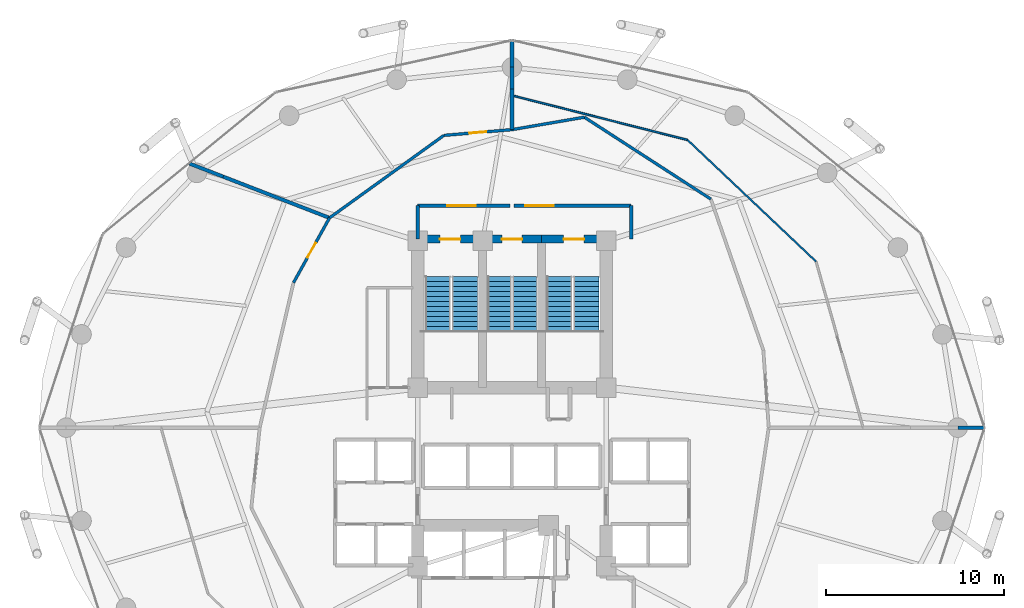
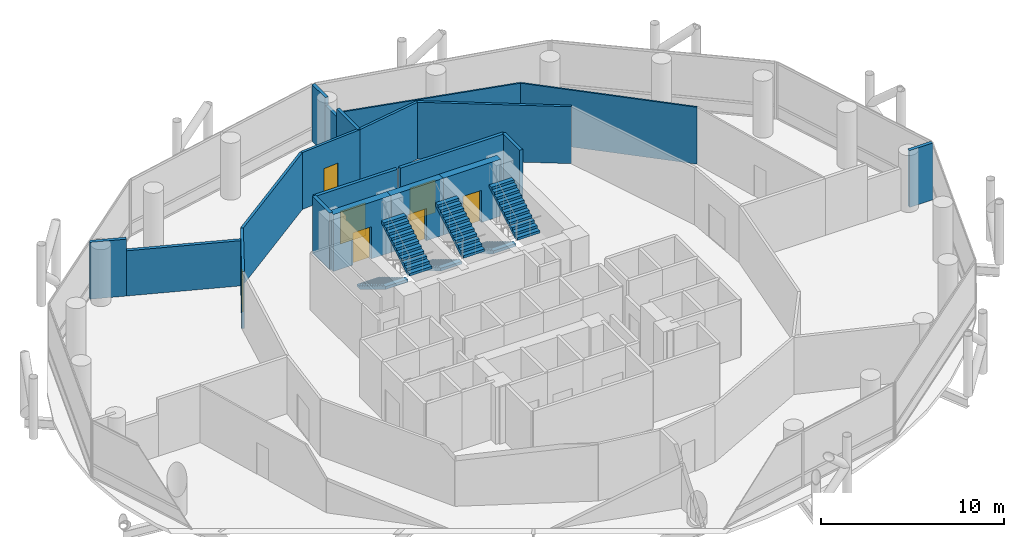
# One storey, part 23 of 24: 20 walls, 7 doors, 6 stair flights, 7 openings, 3 elements without a shape of their own.
"""IFC4 building model written with IfcOpenShell, lengths in metres."""

from ifc_helpers import new_model, si_unit, direction, frame, frame_2d, origin, place, context, subcontext, project, spatial, polyline, rectangle, outline, extrude, material, layer, layer_set, type_object, element, fill, aggregate, save


model = new_model("IFC4")

# Units and contexts
model_context = context("Model", 3, precision=1e-05, world=origin(), true_north=direction((0.0, 1.0)))
body_context = subcontext(model_context, "Body", "Model", "MODEL_VIEW")
ifc_project = project(units=[si_unit("LENGTHUNIT", "METRE"), si_unit("AREAUNIT", "SQUARE_METRE"), si_unit("VOLUMEUNIT", "CUBIC_METRE"), si_unit("PLANEANGLEUNIT", "RADIAN"), si_unit("MASSUNIT", "GRAM", prefix="KILO")], contexts=[model_context])

# Site, building, storey
site_placement = place(None, origin())
site = spatial("IfcSite", under=ifc_project, at=site_placement, CompositionType="ELEMENT")
building_placement = place(site_placement, origin())
building = spatial("IfcBuilding", under=site, at=building_placement, Name="Nuhasar Tower", CompositionType="ELEMENT")
storey_placement = place(building_placement, frame((0.0, 0.0, 73.64990234375)))
storey = spatial("IfcBuildingStorey", under=building, at=storey_placement, Name="L17", CompositionType="ELEMENT", Elevation=73.64990234375)

# Wall, opening, door
ifc_material_1 = material(Name="Concrete C50/60", Category="concrete")
ifc_layer_1 = layer(ifc_material_1, 0.449951171875)
ifc_layer_set_1 = layer_set([ifc_layer_1], Name="Concrete C50/60")
wall_type_1 = type_object("IfcWallType", Name="WL-CORE-450", PredefinedType="SHEAR", material=ifc_layer_set_1)
wall_1_placement = place(storey_placement, frame((37.35009765625, 37.39990234375, 0.0), z_axis=(0.0, 0.0, 1.0), x_axis=(-1.0, 0.0, 0.0)))
wall_1 = element("IfcWall", 1, at=wall_1_placement, inside=storey, type_object=wall_type_1, Name="L17 Stairwell Shear Wall ST01-N", PredefinedType="SHEAR", context=body_context, shape_type="SweptSolid", body=[
    extrude(rectangle(XDim=3.650146484375, YDim=0.449951171875, at=frame_2d((1.8251953125, 0.0))), origin(), (0.0, 0.0, 1.0), 3.800048828125),
])
opening_1_placement = place(wall_1_placement, frame((1.25, 0.0, 0.0)))
opening_1 = element("IfcOpeningElement", 2, at=opening_1_placement, cuts=wall_1, Name="Opening DS-01", PredefinedType="OPENING", context=body_context, shape_type="SweptSolid", body=[
    extrude(rectangle(XDim=1.14990234375, YDim=2.14990234375, at=frame_2d((0.574951171875, 1.074951171875))), frame((0.0, 0.23486328125, 0.0), z_axis=(0.0, -1.0, 0.0), x_axis=(1.0, 0.0, 0.0)), (0.0, 0.0, 1.0), 0.469970703125),
])
ifc_material_2 = material(Name="Steel S355", Category="steel")
door_type_1 = type_object("IfcDoorType", Name="DR-STAIR-FD120-1150", OperationType="NOTDEFINED", PredefinedType="DOOR", material=ifc_material_2)
door_1_placement = place(opening_1_placement, origin())
door_1 = element("IfcDoor", 3, at=door_1_placement, inside=storey, type_object=door_type_1, Name="L17 Exit Stair ST-01 Door", OperationType="SINGLE_SWING_RIGHT", OverallHeight=2.14990234375, OverallWidth=1.14990234375, PredefinedType="DOOR", context=body_context, shape_type="SweptSolid", body=[
    extrude(rectangle(XDim=1.14990234375, YDim=2.14990234375, at=frame_2d((0.574951171875, 1.074951171875))), frame((0.0, 0.02490234375, 0.0), z_axis=(0.0, -1.0, 0.0), x_axis=(1.0, 0.0, 0.0)), (0.0, 0.0, 1.0), 0.050048828125),
])
fill(opening_1, door_1)

wall_2_placement = place(storey_placement, frame((40.64990234375, 37.39990234375, 0.0), z_axis=(0.0, 0.0, 1.0), x_axis=(-1.0, 0.0, 0.0)))
wall_2 = element("IfcWall", 4, at=wall_2_placement, inside=storey, type_object=wall_type_1, Name="L17 Stairwell Shear Wall ST03-N", PredefinedType="SHEAR", context=body_context, shape_type="SweptSolid", body=[
    extrude(rectangle(XDim=3.2998046875, YDim=0.449951171875, at=frame_2d((1.64990234375, 0.0))), origin(), (0.0, 0.0, 1.0), 3.800048828125),
])
opening_2_placement = place(wall_2_placement, frame((1.074951171875, 0.0, 0.0)))
opening_2 = element("IfcOpeningElement", 5, at=opening_2_placement, cuts=wall_2, Name="Opening DS-01", PredefinedType="OPENING", context=body_context, shape_type="SweptSolid", body=[
    extrude(rectangle(XDim=1.14990234375, YDim=2.14990234375, at=frame_2d((0.574951171875, 1.074951171875))), frame((0.0, 0.23486328125, 0.0), z_axis=(0.0, -1.0, 0.0), x_axis=(1.0, 0.0, 0.0)), (0.0, 0.0, 1.0), 0.469970703125),
])
door_2_placement = place(opening_2_placement, origin())
door_2 = element("IfcDoor", 6, at=door_2_placement, inside=storey, type_object=door_type_1, Name="L17 Exit Stair ST-03 Door", OperationType="SINGLE_SWING_RIGHT", OverallHeight=2.14990234375, OverallWidth=1.14990234375, PredefinedType="DOOR", context=body_context, shape_type="SweptSolid", body=[
    extrude(rectangle(XDim=1.14990234375, YDim=2.14990234375, at=frame_2d((0.574951171875, 1.074951171875))), frame((0.0, 0.02490234375, 0.0), z_axis=(0.0, -1.0, 0.0), x_axis=(1.0, 0.0, 0.0)), (0.0, 0.0, 1.0), 0.050048828125),
])
fill(opening_2, door_2)

wall_3_placement = place(storey_placement, frame((44.300048828125, 37.39990234375, 0.0), z_axis=(0.0, 0.0, 1.0), x_axis=(-1.0, 0.0, 0.0)))
wall_3 = element("IfcWall", 7, at=wall_3_placement, inside=storey, type_object=wall_type_1, Name="L17 Stairwell Shear Wall ST02-N", PredefinedType="SHEAR", context=body_context, shape_type="SweptSolid", body=[
    extrude(rectangle(XDim=3.650146484375, YDim=0.449951171875, at=frame_2d((1.8251953125, 0.0))), origin(), (0.0, 0.0, 1.0), 3.800048828125),
])
opening_3_placement = place(wall_3_placement, frame((1.25, 0.0, 0.0)))
opening_3 = element("IfcOpeningElement", 8, at=opening_3_placement, cuts=wall_3, Name="Opening DS-01", PredefinedType="OPENING", context=body_context, shape_type="SweptSolid", body=[
    extrude(rectangle(XDim=1.14990234375, YDim=2.14990234375, at=frame_2d((0.574951171875, 1.074951171875))), frame((0.0, 0.23486328125, 0.0), z_axis=(0.0, -1.0, 0.0), x_axis=(1.0, 0.0, 0.0)), (0.0, 0.0, 1.0), 0.469970703125),
])
door_3_placement = place(opening_3_placement, origin())
door_3 = element("IfcDoor", 9, at=door_3_placement, inside=storey, type_object=door_type_1, Name="L17 Exit Stair ST-02 Door", OperationType="SINGLE_SWING_LEFT", OverallHeight=2.14990234375, OverallWidth=1.14990234375, PredefinedType="DOOR", context=body_context, shape_type="SweptSolid", body=[
    extrude(rectangle(XDim=1.14990234375, YDim=2.14990234375, at=frame_2d((0.574951171875, 1.074951171875))), frame((0.0, 0.02490234375, 0.0), z_axis=(0.0, -1.0, 0.0), x_axis=(1.0, 0.0, 0.0)), (0.0, 0.0, 1.0), 0.050048828125),
])
fill(opening_3, door_3)

# Walls
ifc_material_3 = material(Name="Gypsum Board", Category="gypsum")
ifc_layer_2 = layer(ifc_material_3, 0.159912109375)
ifc_layer_set_2 = layer_set([ifc_layer_2], Name="Gypsum Board")
wall_type_2 = type_object("IfcWallType", Name="WL-CORR-160", PredefinedType="PARTITIONING", material=ifc_layer_set_2)
wall_4_placement = place(storey_placement, frame((50.176025390625, 39.64599609375, 0.0), z_axis=(0.0, 0.0, 1.0), x_axis=(-0.839408478808, 0.543501063205, 0.0)))
element("IfcWall", 10, at=wall_4_placement, inside=storey, type_object=wall_type_2, Name="L17 Interior Partition CORR-06", PredefinedType="PARTITIONING", context=body_context, shape_type="SweptSolid", body=[
    extrude(rectangle(XDim=8.46923828125, YDim=0.159912109375, at=frame_2d((4.234619140625, 0.0))), origin(), (0.0, 0.0, 1.0), 3.800048828125),
])
wall_5_placement = place(storey_placement, frame((43.06689453125, 44.2490234375, 0.0), z_axis=(0.0, 0.0, 1.0), x_axis=(-0.985549816713, -0.169385828146, 0.0)))
element("IfcWall", 11, at=wall_5_placement, inside=storey, type_object=wall_type_2, Name="L17 Interior Partition CORR-10", PredefinedType="PARTITIONING", context=body_context, shape_type="SweptSolid", body=[
    extrude(rectangle(XDim=4.12646484375, YDim=0.159912109375, at=frame_2d((2.063232421875, 0.0))), origin(), (0.0, 0.0, 1.0), 3.800048828125),
])

# Wall, opening, door
wall_6_placement = place(storey_placement, frame((35.1708984375, 43.22705078125, 0.0), z_axis=(0.0, 0.0, 1.0), x_axis=(0.996461119645, 0.084054964377, 0.0)))
wall_6 = element("IfcWall", 12, at=wall_6_placement, inside=storey, type_object=wall_type_2, Name="L17 Interior Partition CORR-12", PredefinedType="PARTITIONING", context=body_context, shape_type="SweptSolid", body=[
    extrude(rectangle(XDim=3.8427734375, YDim=0.159912109375, at=frame_2d((1.92138671875, 0.0))), origin(), (0.0, 0.0, 1.0), 3.800048828125),
])
opening_4_placement = place(wall_6_placement, frame((1.446044921875, 0.0, 0.0)))
opening_4 = element("IfcOpeningElement", 13, at=opening_4_placement, cuts=wall_6, Name="Opening DO-01", PredefinedType="OPENING", context=body_context, shape_type="SweptSolid", body=[
    extrude(rectangle(XDim=0.949951171875, YDim=2.14990234375, at=frame_2d((0.47509765625, 1.074951171875))), frame((0.0, 0.08984375, 0.0), z_axis=(0.0, -1.0, 0.0), x_axis=(1.0, 0.0, 0.0)), (0.0, 0.0, 1.0), 0.179931640625),
])
ifc_material_4 = material(Name="Timber Oak", Category="wood")
door_type_2 = type_object("IfcDoorType", Name="DR-OFFICE-FD30-950", OperationType="NOTDEFINED", PredefinedType="DOOR", material=ifc_material_4)
door_4_placement = place(opening_4_placement, origin())
door_4 = element("IfcDoor", 14, at=door_4_placement, inside=storey, type_object=door_type_2, Name="L17 Product Showcase Boutique Entry Door", OperationType="SINGLE_SWING_LEFT", OverallHeight=2.14990234375, OverallWidth=0.949951171875, PredefinedType="DOOR", context=body_context, shape_type="SweptSolid", body=[
    extrude(rectangle(XDim=0.949951171875, YDim=2.14990234375, at=frame_2d((0.47509765625, 1.074951171875))), frame((0.0, 0.02490234375, 0.0), z_axis=(0.0, -1.0, 0.0), x_axis=(1.0, 0.0, 0.0)), (0.0, 0.0, 1.0), 0.050048828125),
])
fill(opening_4, door_4)

# Wall
wall_7_placement = place(storey_placement, frame((35.1708984375, 43.22705078125, 0.0), z_axis=(0.0, 0.0, 1.0), x_axis=(-0.811006435929, -0.585037230339, 0.0)))
element("IfcWall", 15, at=wall_7_placement, inside=storey, type_object=wall_type_2, Name="L17 Interior Partition CORR-14", PredefinedType="PARTITIONING", context=body_context, shape_type="SweptSolid", body=[
    extrude(rectangle(XDim=7.926025390625, YDim=0.159912109375, at=frame_2d((3.962890625, 0.0))), origin(), (0.0, 0.0, 1.0), 3.800048828125),
])

# Wall, opening, door
wall_8_placement = place(storey_placement, frame((26.719970703125, 34.949951171875, 0.0), z_axis=(0.0, 0.0, 1.0), x_axis=(0.485762387835, 0.87409090063, 0.0)))
wall_8 = element("IfcWall", 16, at=wall_8_placement, inside=storey, type_object=wall_type_2, Name="L17 Interior Partition CORR-18", PredefinedType="PARTITIONING", context=body_context, shape_type="SweptSolid", body=[
    extrude(rectangle(XDim=4.16455078125, YDim=0.159912109375, at=frame_2d((2.082275390625, 0.0))), origin(), (0.0, 0.0, 1.0), 3.800048828125),
])
opening_5_placement = place(wall_8_placement, frame((1.60693359375, 0.0, 0.0)))
opening_5 = element("IfcOpeningElement", 17, at=opening_5_placement, cuts=wall_8, Name="Opening DO-01", PredefinedType="OPENING", context=body_context, shape_type="SweptSolid", body=[
    extrude(rectangle(XDim=0.949951171875, YDim=2.14990234375, at=frame_2d((0.47509765625, 1.074951171875))), frame((0.0, 0.08984375, 0.0), z_axis=(0.0, -1.0, 0.0), x_axis=(1.0, 0.0, 0.0)), (0.0, 0.0, 1.0), 0.179931640625),
])
door_5_placement = place(opening_5_placement, origin())
door_5 = element("IfcDoor", 18, at=door_5_placement, inside=storey, type_object=door_type_2, Name="L17 Barista Espresso Pantry Entry Door", OperationType="SINGLE_SWING_LEFT", OverallHeight=2.14990234375, OverallWidth=0.949951171875, PredefinedType="DOOR", context=body_context, shape_type="SweptSolid", body=[
    extrude(rectangle(XDim=0.949951171875, YDim=2.14990234375, at=frame_2d((0.47509765625, 1.074951171875))), frame((0.0, 0.02490234375, 0.0), z_axis=(0.0, -1.0, 0.0), x_axis=(1.0, 0.0, 0.0)), (0.0, 0.0, 1.0), 0.050048828125),
])
fill(opening_5, door_5)

# Walls
ifc_material_5 = material(Name="Concrete C45/55", Category="concrete")
ifc_layer_3 = layer(ifc_material_5, 0.199951171875)
ifc_layer_set_3 = layer_set([ifc_layer_3], Name="Concrete C45/55")
wall_type_3 = type_object("IfcWallType", Name="WL-LOBBY-200", PredefinedType="SOLIDWALL", material=ifc_layer_set_3)
for number, where, z_axis, x_axis, name in (
    (19, (33.699951171875, 37.39990234375, 0.0), (0.0, 0.0, 1.0), (0.0, 1.0, 0.0), "L17 Interior Partition NSL-W"),
    (20, (45.699951171875, 37.39990234375, 0.0), (0.0, 0.0, 1.0), (0.0, 1.0, 0.0), "L17 Interior Partition NSL-E"),
):
    element("IfcWall", number, at=place(storey_placement, frame(where, z_axis=z_axis, x_axis=x_axis)), inside=storey, type_object=wall_type_3, Name=name, PredefinedType="SOLIDWALL", context=body_context, shape_type="SweptSolid", body=[
        extrude(rectangle(XDim=1.880126953125, YDim=0.199951171875, at=frame_2d((0.93994140625, 0.0))), origin(), (0.0, 0.0, 1.0), 3.800048828125),
    ])

# Wall, opening, door
wall_9_placement = place(storey_placement, frame((38.89990234375, 39.280029296875, 0.0), z_axis=(0.0, 0.0, 1.0), x_axis=(-1.0, 0.0, 0.0)))
wall_9 = element("IfcWall", 21, at=wall_9_placement, inside=storey, type_object=wall_type_3, Name="L17 Interior Partition NSL-N1", PredefinedType="SOLIDWALL", context=body_context, shape_type="SweptSolid", body=[
    extrude(rectangle(XDim=5.199951171875, YDim=0.199951171875, at=frame_2d((2.60009765625, 0.0))), origin(), (0.0, 0.0, 1.0), 3.800048828125),
])
opening_6_placement = place(wall_9_placement, frame((1.949951171875, 0.0, 0.0)))
opening_6 = element("IfcOpeningElement", 22, at=opening_6_placement, cuts=wall_9, Name="Opening DC-01", PredefinedType="OPENING", context=body_context, shape_type="SweptSolid", body=[
    extrude(rectangle(XDim=1.60009765625, YDim=2.199951171875, at=frame_2d((0.800048828125, 1.10009765625))), frame((0.0, 0.10986328125, 0.0), z_axis=(0.0, -1.0, 0.0), x_axis=(1.0, 0.0, 0.0)), (0.0, 0.0, 1.0), 0.219970703125),
])
door_type_3 = type_object("IfcDoorType", Name="DR-CORR-FD60-1600", OperationType="DOUBLE_DOOR_SINGLE_SWING", PredefinedType="DOOR", material=ifc_material_2)
door_6_placement = place(opening_6_placement, origin())
door_6 = element("IfcDoor", 23, at=door_6_placement, inside=storey, type_object=door_type_3, Name="L17 North Stair Lobby West Door", OperationType="DOUBLE_DOOR_SINGLE_SWING", OverallHeight=2.199951171875, OverallWidth=1.60009765625, PredefinedType="DOOR", context=body_context, shape_type="SweptSolid", body=[
    extrude(rectangle(XDim=1.60009765625, YDim=2.199951171875, at=frame_2d((0.800048828125, 1.10009765625))), frame((0.0, 0.02490234375, 0.0), z_axis=(0.0, -1.0, 0.0), x_axis=(1.0, 0.0, 0.0)), (0.0, 0.0, 1.0), 0.050048828125),
])
fill(opening_6, door_6)

wall_10_placement = place(storey_placement, frame((45.699951171875, 39.280029296875, 0.0), z_axis=(0.0, 0.0, 1.0), x_axis=(-1.0, 0.0, 0.0)))
wall_10 = element("IfcWall", 24, at=wall_10_placement, inside=storey, type_object=wall_type_3, Name="L17 Interior Partition NSL-N2", PredefinedType="SOLIDWALL", context=body_context, shape_type="SweptSolid", body=[
    extrude(rectangle(XDim=6.599853515625, YDim=0.199951171875, at=frame_2d((3.2998046875, 0.0))), origin(), (0.0, 0.0, 1.0), 3.800048828125),
])
opening_7_placement = place(wall_10_placement, frame((4.35009765625, 0.0, 0.0)))
opening_7 = element("IfcOpeningElement", 25, at=opening_7_placement, cuts=wall_10, Name="Opening DC-01", PredefinedType="OPENING", context=body_context, shape_type="SweptSolid", body=[
    extrude(rectangle(XDim=1.60009765625, YDim=2.199951171875, at=frame_2d((0.800048828125, 1.10009765625))), frame((0.0, 0.10986328125, 0.0), z_axis=(0.0, -1.0, 0.0), x_axis=(1.0, 0.0, 0.0)), (0.0, 0.0, 1.0), 0.219970703125),
])
door_7_placement = place(opening_7_placement, origin())
door_7 = element("IfcDoor", 26, at=door_7_placement, inside=storey, type_object=door_type_3, Name="L17 North Stair Lobby East Door", OperationType="DOUBLE_DOOR_SINGLE_SWING", OverallHeight=2.199951171875, OverallWidth=1.60009765625, PredefinedType="DOOR", context=body_context, shape_type="SweptSolid", body=[
    extrude(rectangle(XDim=1.60009765625, YDim=2.199951171875, at=frame_2d((0.800048828125, 1.10009765625))), frame((0.0, 0.02490234375, 0.0), z_axis=(0.0, -1.0, 0.0), x_axis=(1.0, 0.0, 0.0)), (0.0, 0.0, 1.0), 0.050048828125),
])
fill(opening_7, door_7)

# Walls
ifc_material_6 = material(Name="Aluminium 6063-T6", Category="aluminium")
ifc_layer_4 = layer(ifc_material_6, 0.10009765625)
ifc_layer_set_4 = layer_set([ifc_layer_4], Name="Aluminium 6063-T6")
wall_type_4 = type_object("IfcWallType", Name="WL-MOVABLE-100", PredefinedType="MOVABLE", material=ifc_layer_set_4)
wall_11_placement = place(storey_placement, frame((56.090087890625, 36.135986328125, 0.0), z_axis=(0.0, 0.0, 1.0), x_axis=(-0.72640414621, 0.687267790871, 0.0)))
element("IfcWall", 27, at=wall_11_placement, inside=storey, type_object=wall_type_4, Name="L17 Interior Partition OMID-01-04", PredefinedType="MOVABLE", context=body_context, shape_type="SweptSolid", body=[
    extrude(rectangle(XDim=9.943603515625, YDim=0.10009765625, at=frame_2d((4.9716796875, 0.0))), origin(), (0.0, 0.0, 1.0), 3.800048828125),
])
wall_12_placement = place(storey_placement, frame((48.866943359375, 42.969970703125, 0.0), z_axis=(0.0, 0.0, 1.0), x_axis=(-0.969345835611, 0.245700327601, 0.0)))
element("IfcWall", 28, at=wall_12_placement, inside=storey, type_object=wall_type_4, Name="L17 Interior Partition OMID-01-08", PredefinedType="MOVABLE", context=body_context, shape_type="SweptSolid", body=[
    extrude(rectangle(XDim=10.178955078125, YDim=0.10009765625, at=frame_2d((5.08935546875, 0.0))), origin(), (0.0, 0.0, 1.0), 3.800048828125),
])
ifc_material_7 = material(Name="Concrete C40/50 precast", Category="concrete")
ifc_layer_5 = layer(ifc_material_7, 0.199951171875)
ifc_layer_set_5 = layer_set([ifc_layer_5], Name="Concrete C40/50 precast")
wall_type_5 = type_object("IfcWallType", Name="WL-UNIT-200", PredefinedType="PARTITIONING", material=ifc_layer_set_5)
wall_13_placement = place(storey_placement, frame((64.06103515625, 26.800048828125, 0.0), z_axis=(0.0, 0.0, 1.0), x_axis=(1.0, 0.0, 0.0)))
element("IfcWall", 29, at=wall_13_placement, inside=storey, type_object=wall_type_5, Name="L17 Interior Partition ORAD-00-S2", PredefinedType="PARTITIONING", context=body_context, shape_type="SweptSolid", body=[
    extrude(rectangle(XDim=1.4638671875, YDim=0.199951171875, at=frame_2d((0.73193359375, 0.0))), origin(), (0.0, 0.0, 1.0), 3.800048828125),
])
wall_14_placement = place(storey_placement, frame((39.0, 43.550048828125, 0.0), z_axis=(0.0, 0.0, 1.0), x_axis=(0.0, 1.0, 0.0)))
element("IfcWall", 30, at=wall_14_placement, inside=storey, type_object=wall_type_5, Name="L17 Interior Partition ORAD-12", PredefinedType="PARTITIONING", context=body_context, shape_type="SweptSolid", body=[
    extrude(rectangle(XDim=2.282958984375, YDim=0.199951171875, at=frame_2d((1.1416015625, 0.0))), origin(), (0.0, 0.0, 1.0), 3.800048828125),
])
wall_15_placement = place(storey_placement, frame((39.0, 45.8330078125, 0.0), z_axis=(0.0, 0.0, 1.0), x_axis=(0.0, 1.0, 0.0)))
element("IfcWall", 31, at=wall_15_placement, inside=storey, type_object=wall_type_5, Name="L17 Interior Partition ORAD-12", PredefinedType="PARTITIONING", context=body_context, shape_type="SweptSolid", body=[
    extrude(rectangle(XDim=1.23388671875, YDim=0.199951171875, at=frame_2d((0.616943359375, 0.0))), origin(), (0.0, 0.0, 1.0), 3.26513671875),
])
wall_16_placement = place(storey_placement, frame((39.0, 47.06689453125, 0.0), z_axis=(0.0, 0.0, 1.0), x_axis=(0.0, 1.0, 0.0)))
element("IfcWall", 32, at=wall_16_placement, inside=storey, type_object=wall_type_5, Name="L17 Interior Partition ORAD-12", PredefinedType="PARTITIONING", context=body_context, shape_type="SweptSolid", body=[
    extrude(rectangle(XDim=1.4580078125, YDim=0.199951171875, at=frame_2d((0.72900390625, 0.0))), origin(), (0.0, 0.0, 1.0), 3.800048828125),
])
wall_17_placement = place(storey_placement, frame((28.742919921875, 38.590087890625, 0.0), z_axis=(0.0, 0.0, 1.0), x_axis=(-0.932366814267, 0.361513656249, 0.0)))
element("IfcWall", 33, at=wall_17_placement, inside=storey, type_object=wall_type_5, Name="L17 Interior Partition ORAD-18", PredefinedType="PARTITIONING", context=body_context, shape_type="SweptSolid", body=[
    extrude(rectangle(XDim=6.40625, YDim=0.199951171875, at=frame_2d((3.203125, 0.0))), origin(), (0.0, 0.0, 1.0), 3.02001953125),
])
wall_18_placement = place(storey_placement, frame((22.77001953125, 40.906005859375, 0.0), z_axis=(0.0, 0.0, 1.0), x_axis=(-0.932318982985, 0.361636991977, 0.0)))
element("IfcWall", 34, at=wall_18_placement, inside=storey, type_object=wall_type_5, Name="L17 Interior Partition ORAD-18", PredefinedType="PARTITIONING", context=body_context, shape_type="SweptSolid", body=[
    extrude(rectangle(XDim=2.02392578125, YDim=0.199951171875, at=frame_2d((1.011962890625, 0.0))), origin(), (0.0, 0.0, 1.0), 3.800048828125),
])

# Stair, stair flights
stair_type_1 = type_object("IfcStairType", Name="STR-ST-01-2F-24R-1688", PredefinedType="HALF_TURN_STAIR", material=ifc_material_5)
stair_1_placement = place(storey_placement, origin())
stair_1 = element("IfcStair", 35, at=stair_1_placement, inside=storey, type_object=stair_type_1, Name="L17 Exit Stair ST-01", PredefinedType="HALF_TURN_STAIR")
stair_flight_type_1 = type_object("IfcStairFlightType", Name="SFL-ST-01-12R-1688", PredefinedType="STRAIGHT", material=ifc_material_5)
stair_flight_1_placement = place(storey_placement, frame((34.830078125, 35.284912109375, 0.0), z_axis=(0.0, 0.0, 1.0), x_axis=(0.0, -1.0, 0.0)))
stair_flight_1 = element("IfcStairFlight", 36, at=stair_flight_1_placement, type_object=stair_flight_type_1, Name="ST-01 flight 1", NumberOfRisers=12, NumberOfTreads=11, PredefinedType="STRAIGHT", RiserHeight=0.16875, TreadLength=0.28, context=body_context, shape_type="SweptSolid", body=[
    extrude(outline(polyline([(0.0, 0.0), (0.0, 0.168701171875), (0.280029296875, 0.168701171875), (0.280029296875, 0.33740234375), (0.56005859375, 0.33740234375), (0.56005859375, 0.50634765625), (0.840087890625, 0.50634765625), (0.840087890625, 0.675048828125), (1.1201171875, 0.675048828125), (1.1201171875, 0.84375), (1.39990234375, 0.84375), (1.39990234375, 1.012451171875), (1.679931640625, 1.012451171875), (1.679931640625, 1.18115234375), (1.9599609375, 1.18115234375), (1.9599609375, 1.35009765625), (2.239990234375, 1.35009765625), (2.239990234375, 1.518798828125), (2.52001953125, 1.518798828125), (2.52001953125, 1.6875), (2.800048828125, 1.6875), (2.800048828125, 1.856201171875), (3.080078125, 1.856201171875), (3.080078125, 2.02490234375), (3.080078125, 1.66943359375), (0.309814453125, 0.0), (0.0, 0.0)])), frame((0.0, 0.7099609375, 0.0), z_axis=(0.0, -1.0, 0.0), x_axis=(1.0, 0.0, 0.0)), (0.0, 0.0, 1.0), 1.419921875),
])
stair_flight_2_placement = place(storey_placement, frame((36.35009765625, 32.205078125, 2.025146484375), z_axis=(0.0, 0.0, 1.0), x_axis=(0.0, 1.0, 0.0)))
stair_flight_2 = element("IfcStairFlight", 37, at=stair_flight_2_placement, type_object=stair_flight_type_1, Name="ST-01 flight 2", NumberOfRisers=12, NumberOfTreads=11, PredefinedType="STRAIGHT", RiserHeight=0.16875, TreadLength=0.28, context=body_context, shape_type="SweptSolid", body=[
    extrude(outline(polyline([(0.0, 0.0), (0.0, 0.168701171875), (0.280029296875, 0.168701171875), (0.280029296875, 0.33740234375), (0.56005859375, 0.33740234375), (0.56005859375, 0.50634765625), (0.840087890625, 0.50634765625), (0.840087890625, 0.675048828125), (1.1201171875, 0.675048828125), (1.1201171875, 0.84375), (1.39990234375, 0.84375), (1.39990234375, 1.012451171875), (1.679931640625, 1.012451171875), (1.679931640625, 1.18115234375), (1.9599609375, 1.18115234375), (1.9599609375, 1.35009765625), (2.239990234375, 1.35009765625), (2.239990234375, 1.518798828125), (2.52001953125, 1.518798828125), (2.52001953125, 1.6875), (2.800048828125, 1.6875), (2.800048828125, 1.856201171875), (3.080078125, 1.856201171875), (3.080078125, 2.02490234375), (3.080078125, 1.66943359375), (0.309814453125, 0.0), (0.0, 0.0)])), frame((0.0, 0.7099609375, 0.0), z_axis=(0.0, -1.0, 0.0), x_axis=(1.0, 0.0, 0.0)), (0.0, 0.0, 1.0), 1.419921875),
])
aggregate(stair_1, [stair_flight_1, stair_flight_2])

stair_type_2 = type_object("IfcStairType", Name="STR-ST-02-2F-24R-1688", PredefinedType="HALF_TURN_STAIR", material=ifc_material_5)
stair_2_placement = place(storey_placement, origin())
stair_2 = element("IfcStair", 38, at=stair_2_placement, inside=storey, type_object=stair_type_2, Name="L17 Exit Stair ST-02", PredefinedType="HALF_TURN_STAIR")
stair_flight_type_2 = type_object("IfcStairFlightType", Name="SFL-ST-02-12R-1688", PredefinedType="STRAIGHT", material=ifc_material_5)
stair_flight_3_placement = place(storey_placement, frame((41.64990234375, 35.284912109375, 0.0), z_axis=(0.0, 0.0, 1.0), x_axis=(0.0, -1.0, 0.0)))
stair_flight_3 = element("IfcStairFlight", 39, at=stair_flight_3_placement, type_object=stair_flight_type_2, Name="ST-02 flight 1", NumberOfRisers=12, NumberOfTreads=11, PredefinedType="STRAIGHT", RiserHeight=0.16875, TreadLength=0.28, context=body_context, shape_type="SweptSolid", body=[
    extrude(outline(polyline([(0.0, 0.0), (0.0, 0.168701171875), (0.280029296875, 0.168701171875), (0.280029296875, 0.33740234375), (0.56005859375, 0.33740234375), (0.56005859375, 0.50634765625), (0.840087890625, 0.50634765625), (0.840087890625, 0.675048828125), (1.1201171875, 0.675048828125), (1.1201171875, 0.84375), (1.39990234375, 0.84375), (1.39990234375, 1.012451171875), (1.679931640625, 1.012451171875), (1.679931640625, 1.18115234375), (1.9599609375, 1.18115234375), (1.9599609375, 1.35009765625), (2.239990234375, 1.35009765625), (2.239990234375, 1.518798828125), (2.52001953125, 1.518798828125), (2.52001953125, 1.6875), (2.800048828125, 1.6875), (2.800048828125, 1.856201171875), (3.080078125, 1.856201171875), (3.080078125, 2.02490234375), (3.080078125, 1.66943359375), (0.309814453125, 0.0), (0.0, 0.0)])), frame((0.0, 0.7099609375, 0.0), z_axis=(0.0, -1.0, 0.0), x_axis=(1.0, 0.0, 0.0)), (0.0, 0.0, 1.0), 1.419921875),
])
stair_flight_4_placement = place(storey_placement, frame((43.169921875, 32.205078125, 2.025146484375), z_axis=(0.0, 0.0, 1.0), x_axis=(0.0, 1.0, 0.0)))
stair_flight_4 = element("IfcStairFlight", 40, at=stair_flight_4_placement, type_object=stair_flight_type_2, Name="ST-02 flight 2", NumberOfRisers=12, NumberOfTreads=11, PredefinedType="STRAIGHT", RiserHeight=0.16875, TreadLength=0.28, context=body_context, shape_type="SweptSolid", body=[
    extrude(outline(polyline([(0.0, 0.0), (0.0, 0.168701171875), (0.280029296875, 0.168701171875), (0.280029296875, 0.33740234375), (0.56005859375, 0.33740234375), (0.56005859375, 0.50634765625), (0.840087890625, 0.50634765625), (0.840087890625, 0.675048828125), (1.1201171875, 0.675048828125), (1.1201171875, 0.84375), (1.39990234375, 0.84375), (1.39990234375, 1.012451171875), (1.679931640625, 1.012451171875), (1.679931640625, 1.18115234375), (1.9599609375, 1.18115234375), (1.9599609375, 1.35009765625), (2.239990234375, 1.35009765625), (2.239990234375, 1.518798828125), (2.52001953125, 1.518798828125), (2.52001953125, 1.6875), (2.800048828125, 1.6875), (2.800048828125, 1.856201171875), (3.080078125, 1.856201171875), (3.080078125, 2.02490234375), (3.080078125, 1.66943359375), (0.309814453125, 0.0), (0.0, 0.0)])), frame((0.0, 0.7099609375, 0.0), z_axis=(0.0, -1.0, 0.0), x_axis=(1.0, 0.0, 0.0)), (0.0, 0.0, 1.0), 1.419921875),
])
aggregate(stair_2, [stair_flight_3, stair_flight_4])

stair_type_3 = type_object("IfcStairType", Name="STR-ST-03-2F-24R-1688", PredefinedType="HALF_TURN_STAIR", material=ifc_material_5)
stair_3_placement = place(storey_placement, origin())
stair_3 = element("IfcStair", 41, at=stair_3_placement, inside=storey, type_object=stair_type_3, Name="L17 Exit Stair ST-03", PredefinedType="HALF_TURN_STAIR")
stair_flight_type_3 = type_object("IfcStairFlightType", Name="SFL-ST-03-12R-1688", PredefinedType="STRAIGHT", material=ifc_material_5)
stair_flight_5_placement = place(storey_placement, frame((38.280029296875, 35.284912109375, 0.0), z_axis=(0.0, 0.0, 1.0), x_axis=(0.0, -1.0, 0.0)))
stair_flight_5 = element("IfcStairFlight", 42, at=stair_flight_5_placement, type_object=stair_flight_type_3, Name="ST-03 flight 1", NumberOfRisers=12, NumberOfTreads=11, PredefinedType="STRAIGHT", RiserHeight=0.16875, TreadLength=0.28, context=body_context, shape_type="SweptSolid", body=[
    extrude(outline(polyline([(0.0, 0.0), (0.0, 0.168701171875), (0.280029296875, 0.168701171875), (0.280029296875, 0.33740234375), (0.56005859375, 0.33740234375), (0.56005859375, 0.50634765625), (0.840087890625, 0.50634765625), (0.840087890625, 0.675048828125), (1.1201171875, 0.675048828125), (1.1201171875, 0.84375), (1.39990234375, 0.84375), (1.39990234375, 1.012451171875), (1.679931640625, 1.012451171875), (1.679931640625, 1.18115234375), (1.9599609375, 1.18115234375), (1.9599609375, 1.35009765625), (2.239990234375, 1.35009765625), (2.239990234375, 1.518798828125), (2.52001953125, 1.518798828125), (2.52001953125, 1.6875), (2.800048828125, 1.6875), (2.800048828125, 1.856201171875), (3.080078125, 1.856201171875), (3.080078125, 2.02490234375), (3.080078125, 1.66943359375), (0.309814453125, 0.0), (0.0, 0.0)])), frame((0.0, 0.669921875, 0.0), z_axis=(0.0, -1.0, 0.0), x_axis=(1.0, 0.0, 0.0)), (0.0, 0.0, 1.0), 1.340087890625),
])
stair_flight_6_placement = place(storey_placement, frame((39.719970703125, 32.205078125, 2.025146484375), z_axis=(0.0, 0.0, 1.0), x_axis=(0.0, 1.0, 0.0)))
stair_flight_6 = element("IfcStairFlight", 43, at=stair_flight_6_placement, type_object=stair_flight_type_3, Name="ST-03 flight 2", NumberOfRisers=12, NumberOfTreads=11, PredefinedType="STRAIGHT", RiserHeight=0.16875, TreadLength=0.28, context=body_context, shape_type="SweptSolid", body=[
    extrude(outline(polyline([(0.0, 0.0), (0.0, 0.168701171875), (0.280029296875, 0.168701171875), (0.280029296875, 0.33740234375), (0.56005859375, 0.33740234375), (0.56005859375, 0.50634765625), (0.840087890625, 0.50634765625), (0.840087890625, 0.675048828125), (1.1201171875, 0.675048828125), (1.1201171875, 0.84375), (1.39990234375, 0.84375), (1.39990234375, 1.012451171875), (1.679931640625, 1.012451171875), (1.679931640625, 1.18115234375), (1.9599609375, 1.18115234375), (1.9599609375, 1.35009765625), (2.239990234375, 1.35009765625), (2.239990234375, 1.518798828125), (2.52001953125, 1.518798828125), (2.52001953125, 1.6875), (2.800048828125, 1.6875), (2.800048828125, 1.856201171875), (3.080078125, 1.856201171875), (3.080078125, 2.02490234375), (3.080078125, 1.66943359375), (0.309814453125, 0.0), (0.0, 0.0)])), frame((0.0, 0.669921875, 0.0), z_axis=(0.0, -1.0, 0.0), x_axis=(1.0, 0.0, 0.0)), (0.0, 0.0, 1.0), 1.340087890625),
])
aggregate(stair_3, [stair_flight_5, stair_flight_6])

save(model, "model.ifc")
